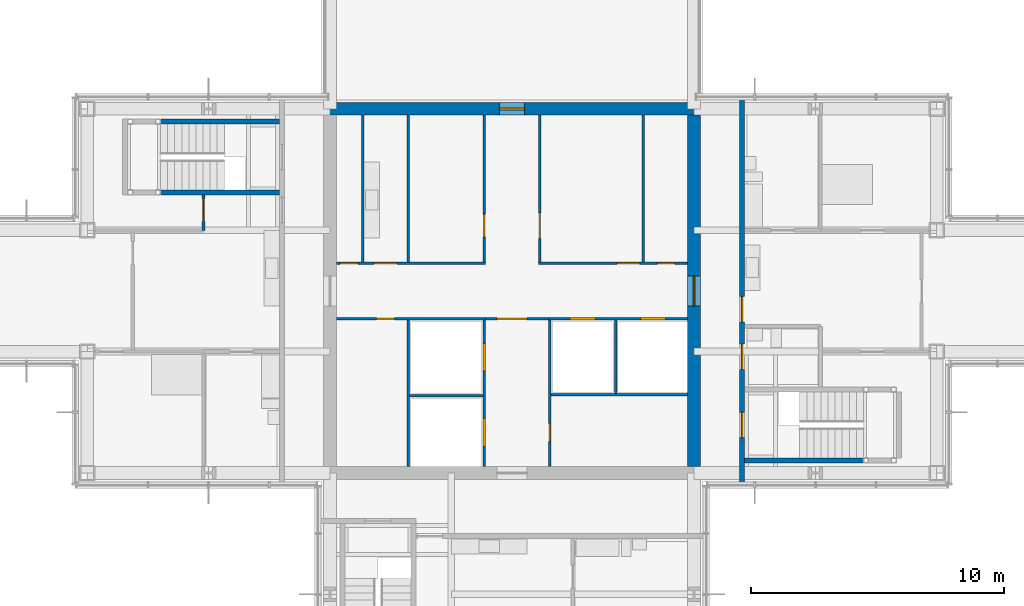
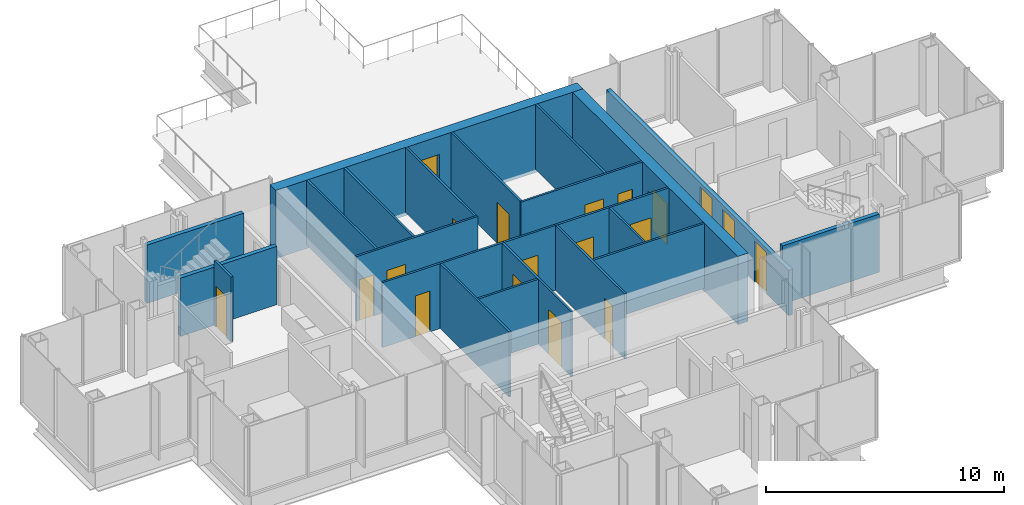
# One storey, part 10 of 14: 23 walls, 19 doors, 19 openings.
"""IFC4 building model written with IfcOpenShell, lengths in metres."""

import ifcopenshell
import ifcopenshell.guid

model = None  # the IFC model being written
_history = None  # IfcOwnerHistory: only IFC2X3 demands one
_inside = {}  # id of a spatial element -> (the spatial element, [elements in it])
_under = {}  # id of a project, library or spatial element -> (it, [spatial elements below it])
_declared = {}  # id of a project -> (the project, [libraries it declares])
_typed = {}  # id of a type object -> (the type object, [elements of that type])
_made_of = {}  # id of a material, layer set ... -> (it, [elements and type objects made of it])


def new_model(schema):
    """Start an empty IFC model of exactly this schema.

    Asked for "IFC4X3", IfcOpenShell would pick the latest addendum, in which some entities
    have other attributes; the version numbers below select the first issue.
    IFC2X3 requires an IfcOwnerHistory on every rooted entity: one is made here for all.
    """
    global model, _history
    if schema == "IFC4X3":
        model = ifcopenshell.file(schema_version=(4, 3, 0, 0))
    else:
        model = ifcopenshell.file(schema=schema)
    _inside.clear()
    _under.clear()
    _declared.clear()
    _typed.clear()
    _made_of.clear()
    _history = None
    if model.schema == "IFC2X3":
        org = make("IfcOrganization", Name="unknown")
        user = make(
            "IfcPersonAndOrganization",
            ThePerson=make("IfcPerson", FamilyName="unknown"),
            TheOrganization=org,
        )
        app = make(
            "IfcApplication",
            ApplicationDeveloper=org,
            Version="unknown",
            ApplicationFullName="unknown",
            ApplicationIdentifier="unknown",
        )
        _history = make(
            "IfcOwnerHistory",
            OwningUser=user,
            OwningApplication=app,
            ChangeAction="ADDED",
            CreationDate=0,
        )
    return model


def make(cls, **values):
    """One entity of the class cls with the attributes given. An attribute that is None is left unset."""
    return model.create_entity(
        cls, **{name: value for name, value in values.items() if value is not None}
    )


def rooted(cls, **values):
    """An entity with a GlobalId (a new one), such as an element, a storey or a relation."""
    return make(cls, GlobalId=ifcopenshell.guid.new(), OwnerHistory=_history, **values)


def si_unit(unit_type, name, prefix=None):
    """IfcSIUnit, for example si_unit("LENGTHUNIT", "METRE", prefix="MILLI")."""
    return make("IfcSIUnit", UnitType=unit_type, Prefix=prefix, Name=name)


def assignment(units):
    """IfcUnitAssignment: the units of a project."""
    return None if units is None else make("IfcUnitAssignment", Units=units)


def point(xyz):
    """IfcCartesianPoint."""
    return None if xyz is None else make("IfcCartesianPoint", Coordinates=xyz)


def direction(xyz):
    """IfcDirection."""
    return None if xyz is None else make("IfcDirection", DirectionRatios=xyz)


def frame(location, z_axis=None, x_axis=None):
    """IfcAxis2Placement3D, a coordinate frame: its origin and axes. An axis left out is left unset."""
    return make(
        "IfcAxis2Placement3D",
        Location=point(location),
        Axis=direction(z_axis),
        RefDirection=direction(x_axis),
    )


def frame_2d(location, x_axis=None):
    """IfcAxis2Placement2D, a coordinate frame in the plane: its origin and x axis."""
    return make(
        "IfcAxis2Placement2D", Location=point(location), RefDirection=direction(x_axis)
    )


def origin():
    """The frame at (0, 0, 0) with its axes left unset."""
    return frame((0.0, 0.0, 0.0))


def place(relative_to, where):
    """IfcLocalPlacement: puts the frame where relative to a parent placement (None: the world)."""
    return make(
        "IfcLocalPlacement", PlacementRelTo=relative_to, RelativePlacement=where
    )


def context(
    kind, dimensions, precision=None, world=None, true_north=None, identifier=None
):
    """IfcGeometricRepresentationContext, for example the 3D "Model" context."""
    return make(
        "IfcGeometricRepresentationContext",
        ContextIdentifier=identifier,
        ContextType=kind,
        CoordinateSpaceDimension=dimensions,
        Precision=precision,
        WorldCoordinateSystem=world,
        TrueNorth=true_north,
    )


def subcontext(parent, identifier, kind, view, scale=None):
    """IfcGeometricRepresentationSubContext, for example "Body" below "Model"."""
    return make(
        "IfcGeometricRepresentationSubContext",
        ContextIdentifier=identifier,
        ContextType=kind,
        ParentContext=parent,
        TargetScale=scale,
        TargetView=view,
    )


def project(units=None, contexts=None):
    """IfcProject with its units and contexts."""
    return rooted(
        "IfcProject",
        Name="project",
        RepresentationContexts=contexts,
        UnitsInContext=assignment(units),
    )


def spatial(cls, under=None, at=None, **own):
    """A site, building, storey or space (cls), placed at a placement, below another one or the project."""
    s = rooted(cls, ObjectPlacement=at, **own)
    if under is not None:
        _under.setdefault(under.id(), (under, []))[1].append(s)
    return s


def profile(cls, at=None, kind="AREA", **sizes):
    """A parametric profile (cls). Its sizes go by their IFC names, for example OverallWidth=200.0."""
    return make(cls, ProfileType=kind, Position=at, **sizes)


def rectangle(**sizes):
    """IfcRectangleProfileDef."""
    return profile("IfcRectangleProfileDef", **sizes)


def extrude(swept, where, along, depth):
    """IfcExtrudedAreaSolid: the profile swept, set in the frame where, extruded along a direction by depth."""
    return make(
        "IfcExtrudedAreaSolid",
        SweptArea=swept,
        Position=where,
        ExtrudedDirection=direction(along),
        Depth=depth,
    )


def shape(context_of_items, identifier, shape_type, items):
    """IfcShapeRepresentation: the items that make up one representation, for example the "Body"."""
    return make(
        "IfcShapeRepresentation",
        ContextOfItems=context_of_items,
        RepresentationIdentifier=identifier,
        RepresentationType=shape_type,
        Items=items,
    )


def material(Name=None, Category=None):
    """IfcMaterial."""
    return make("IfcMaterial", Name=Name, Category=Category)


def layer(
    of_material, thickness, ventilated=None, Name=None, Category=None, Priority=None
):
    """IfcMaterialLayer: one layer of a wall or slab, of a material (None: an air gap)."""
    return make(
        "IfcMaterialLayer",
        Material=of_material,
        LayerThickness=thickness,
        IsVentilated=ventilated,
        Name=Name,
        Category=Category,
        Priority=Priority,
    )


def layer_set(layers, Name=None):
    """IfcMaterialLayerSet."""
    return make("IfcMaterialLayerSet", MaterialLayers=layers, LayerSetName=Name)


def made_of(thing, what):
    """Note that an element or type object is made of a material, layer set ...; save() writes the relation."""
    if what is not None:
        _made_of.setdefault(what.id(), (what, []))[1].append(thing)
    return thing


def type_object(cls, material=None, **own):
    """A type object (cls), such as IfcWallType, which elements share."""
    return made_of(rooted(cls, **own), material)


def element(
    cls,
    number,
    at=None,
    inside=None,
    cuts=None,
    type_object=None,
    material=None,
    context=None,
    identifier="Body",
    shape_type=None,
    held_by="IfcProductDefinitionShape",
    body=None,
    shapes=None,
    **own,
):
    """One element of the class cls, such as IfcWall. Its Tag is "e" and its number.

    at: its placement. inside: the storey or other place that contains it. cuts: it is an
    opening in that element (IfcRelVoidsElement). A single representation is given by context,
    identifier, shape_type and body (its items); several are given by shapes. held_by: the class
    of the entity that holds the representations. save() writes the other relations.
    """
    e = rooted(cls, Tag="e%d" % number, ObjectPlacement=at, **own)
    if body is not None:
        shapes = [shape(context, identifier, shape_type, body)]
    if shapes is not None:
        e.Representation = make(held_by, Representations=shapes)
    if inside is not None:
        _inside.setdefault(inside.id(), (inside, []))[1].append(e)
    if cuts is not None:
        rooted(
            "IfcRelVoidsElement", RelatingBuildingElement=cuts, RelatedOpeningElement=e
        )
    if type_object is not None:
        _typed.setdefault(type_object.id(), (type_object, []))[1].append(e)
    return made_of(e, material)


def fill(opening, filler):
    """IfcRelFillsElement: the door or window that sits in an opening."""
    return rooted(
        "IfcRelFillsElement",
        RelatingOpeningElement=opening,
        RelatedBuildingElement=filler,
    )


def aggregate(whole, parts):
    """IfcRelAggregates: a whole, such as a stair, and the parts it consists of."""
    return rooted("IfcRelAggregates", RelatingObject=whole, RelatedObjects=parts)


def save(model, path):
    """Write the relations noted so far, then the file.

    IfcRelAggregates (storeys below a building ...), IfcRelContainedInSpatialStructure (elements
    in a storey), IfcRelDefinesByType, IfcRelAssociatesMaterial and IfcRelDeclares: one each for
    every whole, place, type object, material and project.
    """
    for whole, parts in _under.values():
        aggregate(whole, parts)
    for where, things in _inside.values():
        rooted(
            "IfcRelContainedInSpatialStructure",
            RelatedElements=things,
            RelatingStructure=where,
        )
    for kind, things in _typed.values():
        rooted("IfcRelDefinesByType", RelatedObjects=things, RelatingType=kind)
    for what, things in _made_of.values():
        rooted("IfcRelAssociatesMaterial", RelatedObjects=things, RelatingMaterial=what)
    for by, libraries in _declared.values():
        rooted("IfcRelDeclares", RelatingContext=by, RelatedDefinitions=libraries)
    model.write(path)


model = new_model("IFC4")

# Units and contexts
model_context = context("Model", 3, precision=1e-05, world=origin(), true_north=direction((0.0, 1.0)))
body_context = subcontext(model_context, "Body", "Model", "MODEL_VIEW")
ifc_project = project(units=[si_unit("LENGTHUNIT", "METRE"), si_unit("AREAUNIT", "SQUARE_METRE"), si_unit("VOLUMEUNIT", "CUBIC_METRE"), si_unit("PLANEANGLEUNIT", "RADIAN"), si_unit("MASSUNIT", "GRAM", prefix="KILO")], contexts=[model_context])

# Site, building, storey
site_placement = place(None, origin())
site = spatial("IfcSite", under=ifc_project, at=site_placement, CompositionType="ELEMENT")
building_placement = place(site_placement, origin())
building = spatial("IfcBuilding", under=site, at=building_placement, Name="Kvirike Care Tower", CompositionType="ELEMENT")
storey_placement = place(building_placement, frame((0.0, 0.0, 194.5)))
storey = spatial("IfcBuildingStorey", under=building, at=storey_placement, Name="L53", CompositionType="ELEMENT", Elevation=194.5)

# Wall, opening, door
ifc_material_1 = material(Name="Concrete C40/50", Category="concrete")
ifc_layer_1 = layer(ifc_material_1, 0.5)
ifc_layer_set_1 = layer_set([ifc_layer_1], Name="CORE WALL 500 C40-50")
wall_type_1 = type_object("IfcWallType", Name="CORE WALL 500 C40-50", PredefinedType="SHEAR", material=ifc_layer_set_1)
wall_1_placement = place(storey_placement, frame((29.050048828125, 43.199951171875, -0.169921875), z_axis=(0.0, 0.0, 1.0), x_axis=(-1.0, 0.0, 0.0)))
wall_1 = element("IfcWall", 1, at=wall_1_placement, inside=storey, type_object=wall_type_1, Name="Core wall N L53", PredefinedType="SHEAR", context=body_context, shape_type="SweptSolid", body=[
    extrude(rectangle(XDim=14.900146484375, YDim=0.5, at=frame_2d((7.4501953125, 0.0))), origin(), (0.0, 0.0, 1.0), 3.5),
])
opening_1_placement = place(wall_1_placement, frame((6.949951171875, 0.0, 0.169921875)))
opening_1 = element("IfcOpeningElement", 2, at=opening_1_placement, cuts=wall_1, Name="Opening 53-036", PredefinedType="OPENING", context=body_context, shape_type="SweptSolid", body=[
    extrude(rectangle(XDim=1.0, YDim=2.39990234375, at=frame_2d((0.5, 1.199951171875))), frame((0.0, 0.260498046875, 0.0), z_axis=(0.0, -1.0, 0.0), x_axis=(1.0, 0.0, 0.0)), (0.0, 0.0, 1.0), 0.52099609375),
])
ifc_material_2 = material(Name="Aluminium door frame", Category="aluminium")
door_type_1 = type_object("IfcDoorType", Name="ROOF MAINTENANCE DOOR 1000", OperationType="SINGLE_SWING_LEFT", PredefinedType="DOOR", material=ifc_material_2)
door_1_placement = place(opening_1_placement, origin())
door_1 = element("IfcDoor", 3, at=door_1_placement, inside=storey, type_object=door_type_1, Name="Roof maintenance door L53", OperationType="SINGLE_SWING_LEFT", OverallHeight=2.39990234375, OverallWidth=1.0, PredefinedType="DOOR", context=body_context, shape_type="SweptSolid", body=[
    extrude(rectangle(XDim=1.0, YDim=2.39990234375, at=frame_2d((0.5, 1.199951171875))), frame((0.0, 0.03515625, 0.0), z_axis=(0.0, -1.0, 0.0), x_axis=(1.0, 0.0, 0.0)), (0.0, 0.0, 1.0), 0.070068359375),
])
fill(opening_1, door_1)

wall_2_placement = place(storey_placement, frame((28.800048828125, 29.050048828125, -0.169921875), z_axis=(0.0, 0.0, 1.0), x_axis=(0.0, 1.0, 0.0)))
wall_2 = element("IfcWall", 4, at=wall_2_placement, inside=storey, type_object=wall_type_1, Name="Core wall E L53", PredefinedType="SHEAR", context=body_context, shape_type="SweptSolid", body=[
    extrude(rectangle(XDim=13.89990234375, YDim=0.5, at=frame_2d((6.949951171875, 0.0))), origin(), (0.0, 0.0, 1.0), 3.5),
])
opening_2_placement = place(wall_2_placement, frame((6.35009765625, 0.0, 0.169921875)))
opening_2 = element("IfcOpeningElement", 5, at=opening_2_placement, cuts=wall_2, Name="Opening 53-035", PredefinedType="OPENING", context=body_context, shape_type="SweptSolid", body=[
    extrude(rectangle(XDim=1.199951171875, YDim=2.10009765625, at=frame_2d((0.60009765625, 1.050048828125))), frame((0.0, 0.260498046875, 0.0), z_axis=(0.0, -1.0, 0.0), x_axis=(1.0, 0.0, 0.0)), (0.0, 0.0, 1.0), 0.52099609375),
])
ifc_material_3 = material(Name="Timber door set", Category="wood")
door_type_2 = type_object("IfcDoorType", Name="CORE DOOR 1200", OperationType="SINGLE_SWING_LEFT", PredefinedType="DOOR", material=ifc_material_3)
door_2_placement = place(opening_2_placement, origin())
door_2 = element("IfcDoor", 6, at=door_2_placement, inside=storey, type_object=door_type_2, Name="Core door E L53", OperationType="SINGLE_SWING_LEFT", OverallHeight=2.10009765625, OverallWidth=1.199951171875, PredefinedType="DOOR", context=body_context, shape_type="SweptSolid", body=[
    extrude(rectangle(XDim=1.199951171875, YDim=2.10009765625, at=frame_2d((0.60009765625, 1.050048828125))), frame((0.0, 0.02685546875, 0.0), z_axis=(0.0, -1.0, 0.0), x_axis=(1.0, 0.0, 0.0)), (0.0, 0.0, 1.0), 0.053955078125),
])
fill(opening_2, door_2)

# Wall, openings, doors
ifc_material_4 = material(Name="Plasterboard corridor wall", Category="gypsum")
ifc_layer_2 = layer(ifc_material_4, 0.199951171875)
ifc_layer_set_2 = layer_set([ifc_layer_2], Name="CORRIDOR WALL 200")
wall_type_2 = type_object("IfcWallType", Name="CORRIDOR WALL 200", PredefinedType="PARTITIONING", material=ifc_layer_set_2)
wall_3_placement = place(storey_placement, frame((30.699951171875, 28.344970703125, 0.0), z_axis=(0.0, 0.0, 1.0), x_axis=(0.0, 1.0, 0.0)))
wall_3 = element("IfcWall", 7, at=wall_3_placement, inside=storey, type_object=wall_type_2, Name="Corridor Wall 200 L53", PredefinedType="PARTITIONING", context=body_context, shape_type="SweptSolid", body=[
    extrude(rectangle(XDim=15.31005859375, YDim=0.199951171875, at=frame_2d((7.655029296875, 0.0))), origin(), (0.0, 0.0, 1.0), 2.320068359375),
])
opening_3_placement = place(wall_3_placement, frame((1.85498046875, 0.0, 0.0)))
opening_3 = element("IfcOpeningElement", 8, at=opening_3_placement, cuts=wall_3, Name="Opening 53-017", PredefinedType="OPENING", context=body_context, shape_type="SweptSolid", body=[
    extrude(rectangle(XDim=1.0, YDim=2.10009765625, at=frame_2d((0.5, 1.050048828125))), frame((0.0, 0.110595703125, 0.0), z_axis=(0.0, -1.0, 0.0), x_axis=(1.0, 0.0, 0.0)), (0.0, 0.0, 1.0), 0.220947265625),
])
opening_4_placement = place(wall_3_placement, frame((4.554931640625, 0.0, 0.0)))
opening_4 = element("IfcOpeningElement", 9, at=opening_4_placement, cuts=wall_3, Name="Opening 53-018", PredefinedType="OPENING", context=body_context, shape_type="SweptSolid", body=[
    extrude(rectangle(XDim=1.0, YDim=2.10009765625, at=frame_2d((0.5, 1.050048828125))), frame((0.0, 0.110595703125, 0.0), z_axis=(0.0, -1.0, 0.0), x_axis=(1.0, 0.0, 0.0)), (0.0, 0.0, 1.0), 0.220947265625),
])
opening_5_placement = place(wall_3_placement, frame((6.429931640625, 0.0, 0.0)))
opening_5 = element("IfcOpeningElement", 10, at=opening_5_placement, cuts=wall_3, Name="Opening 53-019", PredefinedType="OPENING", context=body_context, shape_type="SweptSolid", body=[
    extrude(rectangle(XDim=1.0, YDim=2.10009765625, at=frame_2d((0.5, 1.050048828125))), frame((0.0, 0.110595703125, 0.0), z_axis=(0.0, -1.0, 0.0), x_axis=(1.0, 0.0, 0.0)), (0.0, 0.0, 1.0), 0.220947265625),
])
ifc_material_5 = material(Name="Timber door set", Category="wood")
door_type_3 = type_object("IfcDoorType", Name="FLAT ENTRANCE DOOR 1000", OperationType="SINGLE_SWING_LEFT", PredefinedType="DOOR", material=ifc_material_5)
door_3_placement = place(opening_5_placement, frame((1.0, 0.0, 0.0), z_axis=(0.0, 0.0, 1.0), x_axis=(-1.0, 0.0, 0.0)))
door_3 = element("IfcDoor", 11, at=door_3_placement, inside=storey, type_object=door_type_3, Name="Two-room apartment entrance", OperationType="SINGLE_SWING_LEFT", OverallHeight=2.10009765625, OverallWidth=1.0, PredefinedType="DOOR", context=body_context, shape_type="SweptSolid", body=[
    extrude(rectangle(XDim=1.0, YDim=2.10009765625, at=frame_2d((0.5, 1.050048828125))), frame((0.0, 0.02685546875, 0.0), z_axis=(0.0, -1.0, 0.0), x_axis=(1.0, 0.0, 0.0)), (0.0, 0.0, 1.0), 0.053955078125),
])
fill(opening_5, door_3)
ifc_material_6 = material(Name="Timber door set", Category="wood")
door_type_4 = type_object("IfcDoorType", Name="STAIR DOOR 1000", OperationType="SINGLE_SWING_LEFT", PredefinedType="DOOR", material=ifc_material_6)
door_4_placement = place(opening_3_placement, frame((1.0, 0.0, 0.0), z_axis=(0.0, 0.0, 1.0), x_axis=(-1.0, 0.0, 0.0)))
door_4 = element("IfcDoor", 12, at=door_4_placement, inside=storey, type_object=door_type_4, Name="Stair 2 door", OperationType="SINGLE_SWING_RIGHT", OverallHeight=2.10009765625, OverallWidth=1.0, PredefinedType="DOOR", context=body_context, shape_type="SweptSolid", body=[
    extrude(rectangle(XDim=1.0, YDim=2.10009765625, at=frame_2d((0.5, 1.050048828125))), frame((0.0, 0.031982421875, 0.0), z_axis=(0.0, -1.0, 0.0), x_axis=(1.0, 0.0, 0.0)), (0.0, 0.0, 1.0), 0.06396484375),
])
fill(opening_3, door_4)
ifc_material_7 = material(Name="Timber door set", Category="wood")
door_type_5 = type_object("IfcDoorType", Name="WC DOOR 1000", OperationType="SINGLE_SWING_LEFT", PredefinedType="DOOR", material=ifc_material_7)
door_5_placement = place(opening_4_placement, frame((1.0, 0.0, 0.0), z_axis=(0.0, 0.0, 1.0), x_axis=(-1.0, 0.0, 0.0)))
door_5 = element("IfcDoor", 13, at=door_5_placement, inside=storey, type_object=door_type_5, Name="Accessible WC door", OperationType="SINGLE_SWING_LEFT", OverallHeight=2.10009765625, OverallWidth=1.0, PredefinedType="DOOR", context=body_context, shape_type="SweptSolid", body=[
    extrude(rectangle(XDim=1.0, YDim=2.10009765625, at=frame_2d((0.5, 1.050048828125))), frame((0.0, 0.02685546875, 0.0), z_axis=(0.0, -1.0, 0.0), x_axis=(1.0, 0.0, 0.0)), (0.0, 0.0, 1.0), 0.053955078125),
])
fill(opening_4, door_5)

# Wall, opening, door
ifc_material_8 = material(Name="Plasterboard partition", Category="gypsum")
ifc_layer_3 = layer(ifc_material_8, 0.1201171875)
ifc_layer_set_3 = layer_set([ifc_layer_3], Name="PARTITION 120")
wall_type_3 = type_object("IfcWallType", Name="PARTITION 120", PredefinedType="PARTITIONING", material=ifc_layer_set_3)
wall_4_placement = place(storey_placement, frame((9.39990234375, 39.800048828125, 0.0), z_axis=(0.0, 0.0, 1.0), x_axis=(0.0, -1.0, 0.0)))
wall_4 = element("IfcWall", 14, at=wall_4_placement, inside=storey, type_object=wall_type_3, Name="Partition 120 L53", PredefinedType="PARTITIONING", context=body_context, shape_type="SweptSolid", body=[
    extrude(rectangle(XDim=1.400146484375, YDim=0.1201171875, at=frame_2d((0.7001953125, 0.0))), origin(), (0.0, 0.0, 1.0), 3.330078125),
])
opening_6_placement = place(wall_4_placement, frame((0.14990234375, 0.0, 0.0)))
opening_6 = element("IfcOpeningElement", 15, at=opening_6_placement, cuts=wall_4, Name="Opening 53-002", PredefinedType="OPENING", context=body_context, shape_type="SweptSolid", body=[
    extrude(rectangle(XDim=0.89990234375, YDim=2.10009765625, at=frame_2d((0.449951171875, 1.050048828125))), frame((0.0, 0.070556640625, 0.0), z_axis=(0.0, -1.0, 0.0), x_axis=(1.0, 0.0, 0.0)), (0.0, 0.0, 1.0), 0.14111328125),
])
ifc_material_9 = material(Name="Timber door set", Category="wood")
door_type_6 = type_object("IfcDoorType", Name="INTERNAL DOOR 900", OperationType="SINGLE_SWING_LEFT", PredefinedType="DOOR", material=ifc_material_9)
door_6_placement = place(opening_6_placement, frame((0.89990234375, 0.0, 0.0), z_axis=(0.0, 0.0, 1.0), x_axis=(-1.0, 0.0, 0.0)))
door_6 = element("IfcDoor", 16, at=door_6_placement, inside=storey, type_object=door_type_6, Name="Apartment study door", OperationType="SINGLE_SWING_LEFT", OverallHeight=2.10009765625, OverallWidth=0.89990234375, PredefinedType="DOOR", context=body_context, shape_type="SweptSolid", body=[
    extrude(rectangle(XDim=0.89990234375, YDim=2.10009765625, at=frame_2d((0.449951171875, 1.050048828125))), frame((0.0, 0.02197265625, 0.0), z_axis=(0.0, -1.0, 0.0), x_axis=(1.0, 0.0, 0.0)), (0.0, 0.0, 1.0), 0.0439453125),
])
fill(opening_6, door_6)

# Walls
ifc_material_10 = material(Name="Gypsum shaft wall system", Category="gypsum")
ifc_layer_4 = layer(ifc_material_10, 0.10009765625)
ifc_layer_set_4 = layer_set([ifc_layer_4], Name="SHAFT WALL 100")
wall_type_4 = type_object("IfcWallType", Name="SHAFT WALL 100", PredefinedType="SOLIDWALL", material=ifc_layer_set_4)
for number, where, z_axis, x_axis, name in (
    (17, (15.699951171875, 37.14990234375, 0.0), (0.0, 0.0, 1.0), (0.0, 1.0, 0.0), "Shaft Wall 100 L53"),
    (18, (26.800048828125, 37.14990234375, 0.0), (0.0, 0.0, 1.0), (0.0, 1.0, 0.0), "Shaft Wall 100 L53"),
):
    element("IfcWall", number, at=place(storey_placement, frame(where, z_axis=z_axis, x_axis=x_axis)), inside=storey, type_object=wall_type_4, Name=name, PredefinedType="SOLIDWALL", context=body_context, shape_type="SweptSolid", body=[
        extrude(rectangle(XDim=5.800048828125, YDim=0.10009765625, at=frame_2d((2.89990234375, 0.0))), origin(), (0.0, 0.0, 1.0), 3.330078125),
    ])

# Wall, openings, doors
wall_5_placement = place(storey_placement, frame((20.5, 29.050048828125, 0.0), z_axis=(0.0, 0.0, 1.0), x_axis=(0.0, 1.0, 0.0)))
wall_5 = element("IfcWall", 19, at=wall_5_placement, inside=storey, type_object=wall_type_4, Name="Shaft Wall 100 L53", PredefinedType="SOLIDWALL", context=body_context, shape_type="SweptSolid", body=[
    extrude(rectangle(XDim=5.800048828125, YDim=0.10009765625, at=frame_2d((2.89990234375, 0.0))), origin(), (0.0, 0.0, 1.0), 3.330078125),
])
opening_7_placement = place(wall_5_placement, frame((0.800048828125, 0.0, 0.0)))
opening_7 = element("IfcOpeningElement", 20, at=opening_7_placement, cuts=wall_5, Name="Opening 53-020", PredefinedType="OPENING", context=body_context, shape_type="SweptSolid", body=[
    extrude(rectangle(XDim=1.10009765625, YDim=2.300048828125, at=frame_2d((0.550048828125, 1.14990234375))), frame((0.0, 0.060546875, 0.0), z_axis=(0.0, -1.0, 0.0), x_axis=(1.0, 0.0, 0.0)), (0.0, 0.0, 1.0), 0.12109375),
])
opening_8_placement = place(wall_5_placement, frame((3.77490234375, 0.0, 0.0)))
opening_8 = element("IfcOpeningElement", 21, at=opening_8_placement, cuts=wall_5, Name="Opening 53-021", PredefinedType="OPENING", context=body_context, shape_type="SweptSolid", body=[
    extrude(rectangle(XDim=1.10009765625, YDim=2.300048828125, at=frame_2d((0.550048828125, 1.14990234375))), frame((0.0, 0.060546875, 0.0), z_axis=(0.0, -1.0, 0.0), x_axis=(1.0, 0.0, 0.0)), (0.0, 0.0, 1.0), 0.12109375),
])
ifc_material_11 = material(Name="Aluminium door frame", Category="aluminium")
door_type_7 = type_object("IfcDoorType", Name="FIRE-FIGHTING LIFT LANDING DOOR 1100", OperationType="SLIDING_TO_LEFT", PredefinedType="DOOR", material=ifc_material_11)
door_7_placement = place(opening_7_placement, origin())
door_7 = element("IfcDoor", 22, at=door_7_placement, inside=storey, type_object=door_type_7, Name="Lift FF1 landing door", OperationType="SLIDING_TO_LEFT", OverallHeight=2.300048828125, OverallWidth=1.10009765625, PredefinedType="DOOR", context=body_context, shape_type="SweptSolid", body=[
    extrude(rectangle(XDim=1.10009765625, YDim=2.300048828125, at=frame_2d((0.550048828125, 1.14990234375))), frame((0.0, 0.0498046875, 0.0), z_axis=(0.0, -1.0, 0.0), x_axis=(1.0, 0.0, 0.0)), (0.0, 0.0, 1.0), 0.099609375),
])
fill(opening_7, door_7)
door_8_placement = place(opening_8_placement, origin())
door_8 = element("IfcDoor", 23, at=door_8_placement, inside=storey, type_object=door_type_7, Name="Lift FF2 landing door", OperationType="SLIDING_TO_LEFT", OverallHeight=2.300048828125, OverallWidth=1.10009765625, PredefinedType="DOOR", context=body_context, shape_type="SweptSolid", body=[
    extrude(rectangle(XDim=1.10009765625, YDim=2.300048828125, at=frame_2d((0.550048828125, 1.14990234375))), frame((0.0, 0.0498046875, 0.0), z_axis=(0.0, -1.0, 0.0), x_axis=(1.0, 0.0, 0.0)), (0.0, 0.0, 1.0), 0.099609375),
])
fill(opening_8, door_8)

# Wall, opening, door
wall_6_placement = place(storey_placement, frame((20.5, 37.14990234375, 0.0), z_axis=(0.0, 0.0, 1.0), x_axis=(0.0, 1.0, 0.0)))
wall_6 = element("IfcWall", 24, at=wall_6_placement, inside=storey, type_object=wall_type_4, Name="Shaft Wall 100 L53", PredefinedType="SOLIDWALL", context=body_context, shape_type="SweptSolid", body=[
    extrude(rectangle(XDim=5.800048828125, YDim=0.10009765625, at=frame_2d((2.89990234375, 0.0))), origin(), (0.0, 0.0, 1.0), 3.330078125),
])
opening_9_placement = place(wall_6_placement, frame((0.97509765625, 0.0, 0.0)))
opening_9 = element("IfcOpeningElement", 25, at=opening_9_placement, cuts=wall_6, Name="Opening 53-022", PredefinedType="OPENING", context=body_context, shape_type="SweptSolid", body=[
    extrude(rectangle(XDim=0.89990234375, YDim=2.10009765625, at=frame_2d((0.449951171875, 1.050048828125))), frame((0.0, 0.060546875, 0.0), z_axis=(0.0, -1.0, 0.0), x_axis=(1.0, 0.0, 0.0)), (0.0, 0.0, 1.0), 0.12109375),
])
ifc_material_12 = material(Name="Timber door set", Category="wood")
door_type_8 = type_object("IfcDoorType", Name="STORE DOOR 900", OperationType="SINGLE_SWING_LEFT", PredefinedType="DOOR", material=ifc_material_12)
door_9_placement = place(opening_9_placement, origin())
door_9 = element("IfcDoor", 26, at=door_9_placement, inside=storey, type_object=door_type_8, Name="Records store door", OperationType="SINGLE_SWING_RIGHT", OverallHeight=2.10009765625, OverallWidth=0.89990234375, PredefinedType="DOOR", context=body_context, shape_type="SweptSolid", body=[
    extrude(rectangle(XDim=0.89990234375, YDim=2.10009765625, at=frame_2d((0.449951171875, 1.050048828125))), frame((0.0, 0.02685546875, 0.0), z_axis=(0.0, -1.0, 0.0), x_axis=(1.0, 0.0, 0.0)), (0.0, 0.0, 1.0), 0.053955078125),
])
fill(opening_9, door_9)

wall_7_placement = place(storey_placement, frame((22.699951171875, 37.14990234375, 0.0), z_axis=(0.0, 0.0, 1.0), x_axis=(0.0, 1.0, 0.0)))
wall_7 = element("IfcWall", 27, at=wall_7_placement, inside=storey, type_object=wall_type_4, Name="Shaft Wall 100 L53", PredefinedType="SOLIDWALL", context=body_context, shape_type="SweptSolid", body=[
    extrude(rectangle(XDim=5.800048828125, YDim=0.10009765625, at=frame_2d((2.89990234375, 0.0))), origin(), (0.0, 0.0, 1.0), 3.330078125),
])
opening_10_placement = place(wall_7_placement, frame((0.925048828125, 0.0, 0.0)))
opening_10 = element("IfcOpeningElement", 28, at=opening_10_placement, cuts=wall_7, Name="Opening 53-023", PredefinedType="OPENING", context=body_context, shape_type="SweptSolid", body=[
    extrude(rectangle(XDim=1.0, YDim=2.10009765625, at=frame_2d((0.5, 1.050048828125))), frame((0.0, 0.060546875, 0.0), z_axis=(0.0, -1.0, 0.0), x_axis=(1.0, 0.0, 0.0)), (0.0, 0.0, 1.0), 0.12109375),
])
door_10_placement = place(opening_10_placement, frame((1.0, 0.0, 0.0), z_axis=(0.0, 0.0, 1.0), x_axis=(-1.0, 0.0, 0.0)))
door_10 = element("IfcDoor", 29, at=door_10_placement, inside=storey, type_object=door_type_5, Name="Staff WC door", OperationType="SINGLE_SWING_LEFT", OverallHeight=2.10009765625, OverallWidth=1.0, PredefinedType="DOOR", context=body_context, shape_type="SweptSolid", body=[
    extrude(rectangle(XDim=1.0, YDim=2.10009765625, at=frame_2d((0.5, 1.050048828125))), frame((0.0, 0.02685546875, 0.0), z_axis=(0.0, -1.0, 0.0), x_axis=(1.0, 0.0, 0.0)), (0.0, 0.0, 1.0), 0.053955078125),
])
fill(opening_10, door_10)

wall_8_placement = place(storey_placement, frame((23.10009765625, 29.050048828125, 0.0), z_axis=(0.0, 0.0, 1.0), x_axis=(0.0, 1.0, 0.0)))
wall_8 = element("IfcWall", 30, at=wall_8_placement, inside=storey, type_object=wall_type_4, Name="Shaft Wall 100 L53", PredefinedType="SOLIDWALL", context=body_context, shape_type="SweptSolid", body=[
    extrude(rectangle(XDim=5.800048828125, YDim=0.10009765625, at=frame_2d((2.89990234375, 0.0))), origin(), (0.0, 0.0, 1.0), 3.330078125),
])
opening_11_placement = place(wall_8_placement, frame((1.0, 0.0, 0.0)))
opening_11 = element("IfcOpeningElement", 31, at=opening_11_placement, cuts=wall_8, Name="Opening 53-024", PredefinedType="OPENING", context=body_context, shape_type="SweptSolid", body=[
    extrude(rectangle(XDim=0.699951171875, YDim=2.10009765625, at=frame_2d((0.35009765625, 1.050048828125))), frame((0.0, 0.060546875, 0.0), z_axis=(0.0, -1.0, 0.0), x_axis=(1.0, 0.0, 0.0)), (0.0, 0.0, 1.0), 0.12109375),
])
ifc_material_13 = material(Name="Timber door set", Category="wood")
door_type_9 = type_object("IfcDoorType", Name="RISER DOOR 700", OperationType="SINGLE_SWING_LEFT", PredefinedType="DOOR", material=ifc_material_13)
door_11_placement = place(opening_11_placement, origin())
door_11 = element("IfcDoor", 32, at=door_11_placement, inside=storey, type_object=door_type_9, Name="Riser door", OperationType="SINGLE_SWING_RIGHT", OverallHeight=2.10009765625, OverallWidth=0.699951171875, PredefinedType="DOOR", context=body_context, shape_type="SweptSolid", body=[
    extrude(rectangle(XDim=0.699951171875, YDim=2.10009765625, at=frame_2d((0.35009765625, 1.050048828125))), frame((0.0, 0.02685546875, 0.0), z_axis=(0.0, -1.0, 0.0), x_axis=(1.0, 0.0, 0.0)), (0.0, 0.0, 1.0), 0.053955078125),
])
fill(opening_11, door_11)

wall_9_placement = place(storey_placement, frame((14.64990234375, 34.89990234375, 0.0), z_axis=(0.0, 0.0, 1.0), x_axis=(1.0, 0.0, 0.0)))
wall_9 = element("IfcWall", 33, at=wall_9_placement, inside=storey, type_object=wall_type_4, Name="Shaft Wall 100 L53", PredefinedType="SOLIDWALL", context=body_context, shape_type="SweptSolid", body=[
    extrude(rectangle(XDim=5.900146484375, YDim=0.10009765625, at=frame_2d((2.9501953125, 0.0))), origin(), (0.0, 0.0, 1.0), 3.330078125),
])
opening_12_placement = place(wall_9_placement, frame((1.60009765625, 0.0, 0.0)))
opening_12 = element("IfcOpeningElement", 34, at=opening_12_placement, cuts=wall_9, Name="Opening 53-025", PredefinedType="OPENING", context=body_context, shape_type="SweptSolid", body=[
    extrude(rectangle(XDim=0.699951171875, YDim=2.10009765625, at=frame_2d((0.35009765625, 1.050048828125))), frame((0.0, 0.060546875, 0.0), z_axis=(0.0, -1.0, 0.0), x_axis=(1.0, 0.0, 0.0)), (0.0, 0.0, 1.0), 0.12109375),
])
door_12_placement = place(opening_12_placement, frame((0.699951171875, 0.0, 0.0), z_axis=(0.0, 0.0, 1.0), x_axis=(-1.0, 0.0, 0.0)))
door_12 = element("IfcDoor", 35, at=door_12_placement, inside=storey, type_object=door_type_9, Name="Riser door", OperationType="SINGLE_SWING_RIGHT", OverallHeight=2.10009765625, OverallWidth=0.699951171875, PredefinedType="DOOR", context=body_context, shape_type="SweptSolid", body=[
    extrude(rectangle(XDim=0.699951171875, YDim=2.10009765625, at=frame_2d((0.35009765625, 1.050048828125))), frame((0.0, 0.02685546875, 0.0), z_axis=(0.0, -1.0, 0.0), x_axis=(1.0, 0.0, 0.0)), (0.0, 0.0, 1.0), 0.053955078125),
])
fill(opening_12, door_12)

# Wall, openings, doors
wall_10_placement = place(storey_placement, frame((23.050048828125, 34.89990234375, 0.0), z_axis=(0.0, 0.0, 1.0), x_axis=(1.0, 0.0, 0.0)))
wall_10 = element("IfcWall", 36, at=wall_10_placement, inside=storey, type_object=wall_type_4, Name="Shaft Wall 100 L53", PredefinedType="SOLIDWALL", context=body_context, shape_type="SweptSolid", body=[
    extrude(rectangle(XDim=5.5, YDim=0.10009765625, at=frame_2d((2.75, 0.0))), origin(), (0.0, 0.0, 1.0), 3.330078125),
])
opening_13_placement = place(wall_10_placement, frame((0.85009765625, 0.0, 0.0)))
opening_13 = element("IfcOpeningElement", 37, at=opening_13_placement, cuts=wall_10, Name="Opening 53-026", PredefinedType="OPENING", context=body_context, shape_type="SweptSolid", body=[
    extrude(rectangle(XDim=1.0, YDim=2.10009765625, at=frame_2d((0.5, 1.050048828125))), frame((0.0, 0.060546875, 0.0), z_axis=(0.0, -1.0, 0.0), x_axis=(1.0, 0.0, 0.0)), (0.0, 0.0, 1.0), 0.12109375),
])
opening_14_placement = place(wall_10_placement, frame((3.625, 0.0, 0.0)))
opening_14 = element("IfcOpeningElement", 38, at=opening_14_placement, cuts=wall_10, Name="Opening 53-027", PredefinedType="OPENING", context=body_context, shape_type="SweptSolid", body=[
    extrude(rectangle(XDim=1.0, YDim=2.10009765625, at=frame_2d((0.5, 1.050048828125))), frame((0.0, 0.060546875, 0.0), z_axis=(0.0, -1.0, 0.0), x_axis=(1.0, 0.0, 0.0)), (0.0, 0.0, 1.0), 0.12109375),
])
ifc_material_14 = material(Name="Aluminium door frame", Category="aluminium")
door_type_10 = type_object("IfcDoorType", Name="LIFT LANDING DOOR 1000", OperationType="SLIDING_TO_LEFT", PredefinedType="DOOR", material=ifc_material_14)
door_13_placement = place(opening_13_placement, origin())
door_13 = element("IfcDoor", 39, at=door_13_placement, inside=storey, type_object=door_type_10, Name="Lift P5 landing door", OperationType="SLIDING_TO_LEFT", OverallHeight=2.10009765625, OverallWidth=1.0, PredefinedType="DOOR", context=body_context, shape_type="SweptSolid", body=[
    extrude(rectangle(XDim=1.0, YDim=2.10009765625, at=frame_2d((0.5, 1.050048828125))), frame((0.0, 0.0498046875, 0.0), z_axis=(0.0, -1.0, 0.0), x_axis=(1.0, 0.0, 0.0)), (0.0, 0.0, 1.0), 0.099609375),
])
fill(opening_13, door_13)
door_14_placement = place(opening_14_placement, origin())
door_14 = element("IfcDoor", 40, at=door_14_placement, inside=storey, type_object=door_type_10, Name="Lift P6 landing door", OperationType="SLIDING_TO_LEFT", OverallHeight=2.10009765625, OverallWidth=1.0, PredefinedType="DOOR", context=body_context, shape_type="SweptSolid", body=[
    extrude(rectangle(XDim=1.0, YDim=2.10009765625, at=frame_2d((0.5, 1.050048828125))), frame((0.0, 0.0498046875, 0.0), z_axis=(0.0, -1.0, 0.0), x_axis=(1.0, 0.0, 0.0)), (0.0, 0.0, 1.0), 0.099609375),
])
fill(opening_14, door_14)

wall_11_placement = place(storey_placement, frame((14.64990234375, 37.10009765625, 0.0), z_axis=(0.0, 0.0, 1.0), x_axis=(1.0, 0.0, 0.0)))
wall_11 = element("IfcWall", 41, at=wall_11_placement, inside=storey, type_object=wall_type_4, Name="Shaft Wall 100 L53", PredefinedType="SOLIDWALL", context=body_context, shape_type="SweptSolid", body=[
    extrude(rectangle(XDim=5.900146484375, YDim=0.10009765625, at=frame_2d((2.9501953125, 0.0))), origin(), (0.0, 0.0, 1.0), 3.330078125),
])
opening_15_placement = place(wall_11_placement, frame((0.14990234375, 0.0, 0.0)))
opening_15 = element("IfcOpeningElement", 42, at=opening_15_placement, cuts=wall_11, Name="Opening 53-028", PredefinedType="OPENING", context=body_context, shape_type="SweptSolid", body=[
    extrude(rectangle(XDim=0.699951171875, YDim=2.10009765625, at=frame_2d((0.35009765625, 1.050048828125))), frame((0.0, 0.060546875, 0.0), z_axis=(0.0, -1.0, 0.0), x_axis=(1.0, 0.0, 0.0)), (0.0, 0.0, 1.0), 0.12109375),
])
opening_16_placement = place(wall_11_placement, frame((1.5, 0.0, 0.0)))
opening_16 = element("IfcOpeningElement", 43, at=opening_16_placement, cuts=wall_11, Name="Opening 53-029", PredefinedType="OPENING", context=body_context, shape_type="SweptSolid", body=[
    extrude(rectangle(XDim=0.89990234375, YDim=2.10009765625, at=frame_2d((0.449951171875, 1.050048828125))), frame((0.0, 0.060546875, 0.0), z_axis=(0.0, -1.0, 0.0), x_axis=(1.0, 0.0, 0.0)), (0.0, 0.0, 1.0), 0.12109375),
])
door_15_placement = place(opening_15_placement, origin())
door_15 = element("IfcDoor", 44, at=door_15_placement, inside=storey, type_object=door_type_9, Name="Riser door", OperationType="SINGLE_SWING_LEFT", OverallHeight=2.10009765625, OverallWidth=0.699951171875, PredefinedType="DOOR", context=body_context, shape_type="SweptSolid", body=[
    extrude(rectangle(XDim=0.699951171875, YDim=2.10009765625, at=frame_2d((0.35009765625, 1.050048828125))), frame((0.0, 0.02685546875, 0.0), z_axis=(0.0, -1.0, 0.0), x_axis=(1.0, 0.0, 0.0)), (0.0, 0.0, 1.0), 0.053955078125),
])
fill(opening_15, door_15)
door_16_placement = place(opening_16_placement, origin())
door_16 = element("IfcDoor", 45, at=door_16_placement, inside=storey, type_object=door_type_8, Name="Resident pantry door", OperationType="SINGLE_SWING_LEFT", OverallHeight=2.10009765625, OverallWidth=0.89990234375, PredefinedType="DOOR", context=body_context, shape_type="SweptSolid", body=[
    extrude(rectangle(XDim=0.89990234375, YDim=2.10009765625, at=frame_2d((0.449951171875, 1.050048828125))), frame((0.0, 0.02685546875, 0.0), z_axis=(0.0, -1.0, 0.0), x_axis=(1.0, 0.0, 0.0)), (0.0, 0.0, 1.0), 0.053955078125),
])
fill(opening_16, door_16)

wall_12_placement = place(storey_placement, frame((22.64990234375, 37.10009765625, 0.0), z_axis=(0.0, 0.0, 1.0), x_axis=(1.0, 0.0, 0.0)))
wall_12 = element("IfcWall", 46, at=wall_12_placement, inside=storey, type_object=wall_type_4, Name="Shaft Wall 100 L53", PredefinedType="SOLIDWALL", context=body_context, shape_type="SweptSolid", body=[
    extrude(rectangle(XDim=5.900146484375, YDim=0.10009765625, at=frame_2d((2.9501953125, 0.0))), origin(), (0.0, 0.0, 1.0), 3.330078125),
])
opening_17_placement = place(wall_12_placement, frame((3.10009765625, 0.0, 0.0)))
opening_17 = element("IfcOpeningElement", 47, at=opening_17_placement, cuts=wall_12, Name="Opening 53-030", PredefinedType="OPENING", context=body_context, shape_type="SweptSolid", body=[
    extrude(rectangle(XDim=0.89990234375, YDim=2.10009765625, at=frame_2d((0.449951171875, 1.050048828125))), frame((0.0, 0.060546875, 0.0), z_axis=(0.0, -1.0, 0.0), x_axis=(1.0, 0.0, 0.0)), (0.0, 0.0, 1.0), 0.12109375),
])
opening_18_placement = place(wall_12_placement, frame((4.699951171875, 0.0, 0.0)))
opening_18 = element("IfcOpeningElement", 48, at=opening_18_placement, cuts=wall_12, Name="Opening 53-031", PredefinedType="OPENING", context=body_context, shape_type="SweptSolid", body=[
    extrude(rectangle(XDim=0.699951171875, YDim=2.10009765625, at=frame_2d((0.35009765625, 1.050048828125))), frame((0.0, 0.060546875, 0.0), z_axis=(0.0, -1.0, 0.0), x_axis=(1.0, 0.0, 0.0)), (0.0, 0.0, 1.0), 0.12109375),
])
door_17_placement = place(opening_18_placement, origin())
door_17 = element("IfcDoor", 49, at=door_17_placement, inside=storey, type_object=door_type_9, Name="Riser door", OperationType="SINGLE_SWING_LEFT", OverallHeight=2.10009765625, OverallWidth=0.699951171875, PredefinedType="DOOR", context=body_context, shape_type="SweptSolid", body=[
    extrude(rectangle(XDim=0.699951171875, YDim=2.10009765625, at=frame_2d((0.35009765625, 1.050048828125))), frame((0.0, 0.02685546875, 0.0), z_axis=(0.0, -1.0, 0.0), x_axis=(1.0, 0.0, 0.0)), (0.0, 0.0, 1.0), 0.053955078125),
])
fill(opening_18, door_17)
door_18_placement = place(opening_17_placement, origin())
door_18 = element("IfcDoor", 50, at=door_18_placement, inside=storey, type_object=door_type_8, Name="Staff changing room door", OperationType="SINGLE_SWING_LEFT", OverallHeight=2.10009765625, OverallWidth=0.89990234375, PredefinedType="DOOR", context=body_context, shape_type="SweptSolid", body=[
    extrude(rectangle(XDim=0.89990234375, YDim=2.10009765625, at=frame_2d((0.449951171875, 1.050048828125))), frame((0.0, 0.02685546875, 0.0), z_axis=(0.0, -1.0, 0.0), x_axis=(1.0, 0.0, 0.0)), (0.0, 0.0, 1.0), 0.053955078125),
])
fill(opening_17, door_18)

# Wall, opening, door
wall_13_placement = place(storey_placement, frame((20.550048828125, 34.89990234375, 0.0), z_axis=(0.0, 0.0, 1.0), x_axis=(1.0, 0.0, 0.0)))
wall_13 = element("IfcWall", 51, at=wall_13_placement, inside=storey, type_object=wall_type_4, Name="Shaft Wall 100 L53", PredefinedType="SOLIDWALL", context=body_context, shape_type="SweptSolid", body=[
    extrude(rectangle(XDim=2.5, YDim=0.10009765625, at=frame_2d((1.25, 0.0))), origin(), (0.0, 0.0, 1.0), 3.330078125),
])
opening_19_placement = place(wall_13_placement, frame((0.449951171875, 0.0, 0.0)))
opening_19 = element("IfcOpeningElement", 52, at=opening_19_placement, cuts=wall_13, Name="Opening 53-032", PredefinedType="OPENING", context=body_context, shape_type="SweptSolid", body=[
    extrude(rectangle(XDim=1.199951171875, YDim=2.10009765625, at=frame_2d((0.60009765625, 1.050048828125))), frame((0.0, 0.060546875, 0.0), z_axis=(0.0, -1.0, 0.0), x_axis=(1.0, 0.0, 0.0)), (0.0, 0.0, 1.0), 0.12109375),
])
door_19_placement = place(opening_19_placement, frame((1.199951171875, 0.0, 0.0), z_axis=(0.0, 0.0, 1.0), x_axis=(-1.0, 0.0, 0.0)))
door_19 = element("IfcDoor", 53, at=door_19_placement, inside=storey, type_object=door_type_2, Name="Fire-fighting lobby door", OperationType="SINGLE_SWING_LEFT", OverallHeight=2.10009765625, OverallWidth=1.199951171875, PredefinedType="DOOR", context=body_context, shape_type="SweptSolid", body=[
    extrude(rectangle(XDim=1.199951171875, YDim=2.10009765625, at=frame_2d((0.60009765625, 1.050048828125))), frame((0.0, 0.02685546875, 0.0), z_axis=(0.0, -1.0, 0.0), x_axis=(1.0, 0.0, 0.0)), (0.0, 0.0, 1.0), 0.053955078125),
])
fill(opening_19, door_19)

# Walls
wall_14_placement = place(storey_placement, frame((17.5, 29.050048828125, 0.0), z_axis=(0.0, 0.0, 1.0), x_axis=(0.0, 1.0, 0.0)))
element("IfcWall", 54, at=wall_14_placement, inside=storey, type_object=wall_type_4, Name="Shaft Wall 100 L53", PredefinedType="SOLIDWALL", context=body_context, shape_type="SweptSolid", body=[
    extrude(rectangle(XDim=5.800048828125, YDim=0.10009765625, at=frame_2d((2.89990234375, 0.0))), origin(), (0.0, 0.0, 1.0), 3.330078125),
])
wall_15_placement = place(storey_placement, frame((17.550048828125, 31.85009765625, 0.0), z_axis=(0.0, 0.0, 1.0), x_axis=(1.0, 0.0, 0.0)))
element("IfcWall", 55, at=wall_15_placement, inside=storey, type_object=wall_type_4, Name="Shaft Wall 100 L53", PredefinedType="SOLIDWALL", context=body_context, shape_type="SweptSolid", body=[
    extrude(rectangle(XDim=2.89990234375, YDim=0.10009765625, at=frame_2d((1.449951171875, 0.0))), origin(), (0.0, 0.0, 1.0), 3.330078125),
])
wall_16_placement = place(storey_placement, frame((17.5, 37.14990234375, 0.0), z_axis=(0.0, 0.0, 1.0), x_axis=(0.0, 1.0, 0.0)))
element("IfcWall", 56, at=wall_16_placement, inside=storey, type_object=wall_type_4, Name="Shaft Wall 100 L53", PredefinedType="SOLIDWALL", context=body_context, shape_type="SweptSolid", body=[
    extrude(rectangle(XDim=5.800048828125, YDim=0.10009765625, at=frame_2d((2.89990234375, 0.0))), origin(), (0.0, 0.0, 1.0), 3.330078125),
])
wall_17_placement = place(storey_placement, frame((25.699951171875, 31.949951171875, 0.0), z_axis=(0.0, 0.0, 1.0), x_axis=(0.0, 1.0, 0.0)))
element("IfcWall", 57, at=wall_17_placement, inside=storey, type_object=wall_type_4, Name="Shaft Wall 100 L53", PredefinedType="SOLIDWALL", context=body_context, shape_type="SweptSolid", body=[
    extrude(rectangle(XDim=2.900146484375, YDim=0.10009765625, at=frame_2d((1.4501953125, 0.0))), origin(), (0.0, 0.0, 1.0), 3.330078125),
])
wall_18_placement = place(storey_placement, frame((23.14990234375, 31.89990234375, 0.0), z_axis=(0.0, 0.0, 1.0), x_axis=(1.0, 0.0, 0.0)))
element("IfcWall", 58, at=wall_18_placement, inside=storey, type_object=wall_type_4, Name="Shaft Wall 100 L53", PredefinedType="SOLIDWALL", context=body_context, shape_type="SweptSolid", body=[
    extrude(rectangle(XDim=5.400146484375, YDim=0.10009765625, at=frame_2d((2.7001953125, 0.0))), origin(), (0.0, 0.0, 1.0), 3.330078125),
])
ifc_material_15 = material(Name="Concrete C40/50", Category="concrete")
ifc_layer_5 = layer(ifc_material_15, 0.199951171875)
ifc_layer_set_5 = layer_set([ifc_layer_5], Name="STAIR WALL 200")
wall_type_5 = type_object("IfcWallType", Name="STAIR WALL 200", PredefinedType="SOLIDWALL", material=ifc_layer_set_5)
for number, where, z_axis, x_axis, name in (
    (59, (7.699951171875, 42.699951171875, 0.0), (0.0, 0.0, 1.0), (1.0, 0.0, 0.0), "Stair Wall 200 L53"),
    (60, (7.699951171875, 39.89990234375, 0.0), (0.0, 0.0, 1.0), (1.0, 0.0, 0.0), "Stair Wall 200 L53"),
    (61, (35.5, 29.300048828125, 0.0), (0.0, 0.0, 1.0), (-1.0, 0.0, 0.0), "Stair Wall 200 L53"),
):
    element("IfcWall", number, at=place(storey_placement, frame(where, z_axis=z_axis, x_axis=x_axis)), inside=storey, type_object=wall_type_5, Name=name, PredefinedType="SOLIDWALL", context=body_context, shape_type="SweptSolid", body=[
        extrude(rectangle(XDim=4.699951171875, YDim=0.199951171875, at=frame_2d((2.35009765625, 0.0))), origin(), (0.0, 0.0, 1.0), 2.989990234375),
    ])

save(model, "model.ifc")
